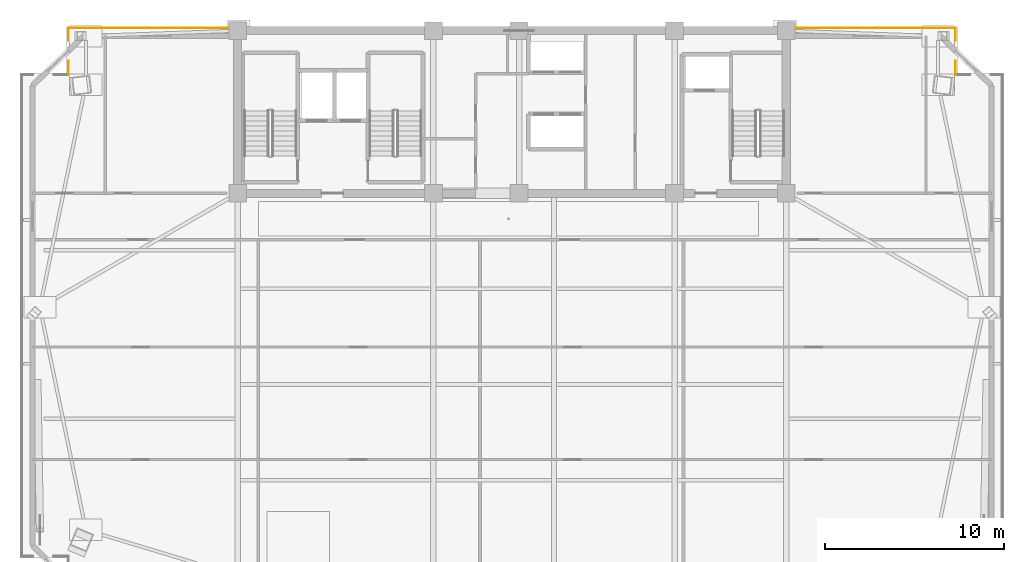
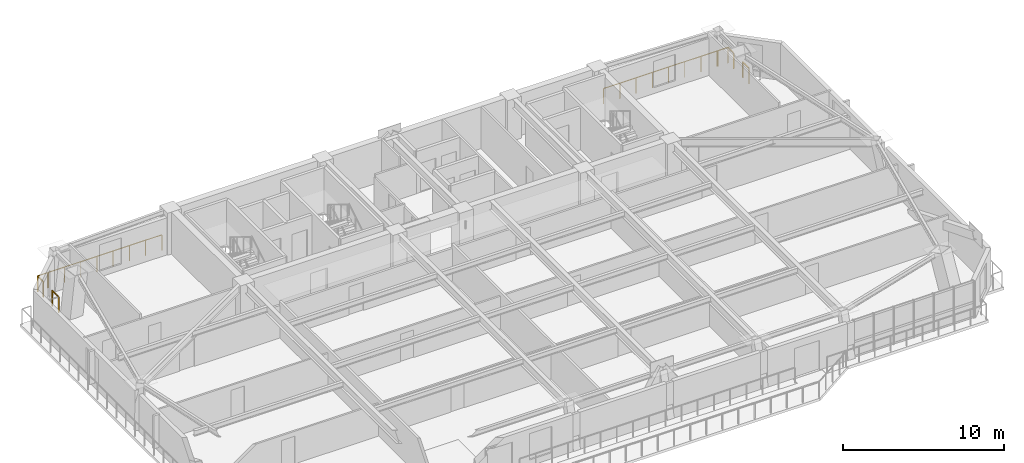
# One storey, part 16 of 16: 8 railings.
"""IFC4 building model written with IfcOpenShell, lengths in metres."""

import ifcopenshell
import ifcopenshell.guid

model = None  # the IFC model being written
_history = None  # IfcOwnerHistory: only IFC2X3 demands one
_inside = {}  # id of a spatial element -> (the spatial element, [elements in it])
_under = {}  # id of a project, library or spatial element -> (it, [spatial elements below it])
_declared = {}  # id of a project -> (the project, [libraries it declares])
_typed = {}  # id of a type object -> (the type object, [elements of that type])
_made_of = {}  # id of a material, layer set ... -> (it, [elements and type objects made of it])


def new_model(schema):
    """Start an empty IFC model of exactly this schema.

    Asked for "IFC4X3", IfcOpenShell would pick the latest addendum, in which some entities
    have other attributes; the version numbers below select the first issue.
    IFC2X3 requires an IfcOwnerHistory on every rooted entity: one is made here for all.
    """
    global model, _history
    if schema == "IFC4X3":
        model = ifcopenshell.file(schema_version=(4, 3, 0, 0))
    else:
        model = ifcopenshell.file(schema=schema)
    _inside.clear()
    _under.clear()
    _declared.clear()
    _typed.clear()
    _made_of.clear()
    _history = None
    if model.schema == "IFC2X3":
        org = make("IfcOrganization", Name="unknown")
        user = make(
            "IfcPersonAndOrganization",
            ThePerson=make("IfcPerson", FamilyName="unknown"),
            TheOrganization=org,
        )
        app = make(
            "IfcApplication",
            ApplicationDeveloper=org,
            Version="unknown",
            ApplicationFullName="unknown",
            ApplicationIdentifier="unknown",
        )
        _history = make(
            "IfcOwnerHistory",
            OwningUser=user,
            OwningApplication=app,
            ChangeAction="ADDED",
            CreationDate=0,
        )
    return model


def make(cls, **values):
    """One entity of the class cls with the attributes given. An attribute that is None is left unset."""
    return model.create_entity(
        cls, **{name: value for name, value in values.items() if value is not None}
    )


def rooted(cls, **values):
    """An entity with a GlobalId (a new one), such as an element, a storey or a relation."""
    return make(cls, GlobalId=ifcopenshell.guid.new(), OwnerHistory=_history, **values)


def si_unit(unit_type, name, prefix=None):
    """IfcSIUnit, for example si_unit("LENGTHUNIT", "METRE", prefix="MILLI")."""
    return make("IfcSIUnit", UnitType=unit_type, Prefix=prefix, Name=name)


def assignment(units):
    """IfcUnitAssignment: the units of a project."""
    return None if units is None else make("IfcUnitAssignment", Units=units)


def point(xyz):
    """IfcCartesianPoint."""
    return None if xyz is None else make("IfcCartesianPoint", Coordinates=xyz)


def direction(xyz):
    """IfcDirection."""
    return None if xyz is None else make("IfcDirection", DirectionRatios=xyz)


def frame(location, z_axis=None, x_axis=None):
    """IfcAxis2Placement3D, a coordinate frame: its origin and axes. An axis left out is left unset."""
    return make(
        "IfcAxis2Placement3D",
        Location=point(location),
        Axis=direction(z_axis),
        RefDirection=direction(x_axis),
    )


def frame_2d(location, x_axis=None):
    """IfcAxis2Placement2D, a coordinate frame in the plane: its origin and x axis."""
    return make(
        "IfcAxis2Placement2D", Location=point(location), RefDirection=direction(x_axis)
    )


def origin():
    """The frame at (0, 0, 0) with its axes left unset."""
    return frame((0.0, 0.0, 0.0))


def origin_2d():
    """The frame at (0, 0) in the plane with its x axis left unset."""
    return frame_2d((0.0, 0.0))


def place(relative_to, where):
    """IfcLocalPlacement: puts the frame where relative to a parent placement (None: the world)."""
    return make(
        "IfcLocalPlacement", PlacementRelTo=relative_to, RelativePlacement=where
    )


def context(
    kind, dimensions, precision=None, world=None, true_north=None, identifier=None
):
    """IfcGeometricRepresentationContext, for example the 3D "Model" context."""
    return make(
        "IfcGeometricRepresentationContext",
        ContextIdentifier=identifier,
        ContextType=kind,
        CoordinateSpaceDimension=dimensions,
        Precision=precision,
        WorldCoordinateSystem=world,
        TrueNorth=true_north,
    )


def subcontext(parent, identifier, kind, view, scale=None):
    """IfcGeometricRepresentationSubContext, for example "Body" below "Model"."""
    return make(
        "IfcGeometricRepresentationSubContext",
        ContextIdentifier=identifier,
        ContextType=kind,
        ParentContext=parent,
        TargetScale=scale,
        TargetView=view,
    )


def project(units=None, contexts=None):
    """IfcProject with its units and contexts."""
    return rooted(
        "IfcProject",
        Name="project",
        RepresentationContexts=contexts,
        UnitsInContext=assignment(units),
    )


def spatial(cls, under=None, at=None, **own):
    """A site, building, storey or space (cls), placed at a placement, below another one or the project."""
    s = rooted(cls, ObjectPlacement=at, **own)
    if under is not None:
        _under.setdefault(under.id(), (under, []))[1].append(s)
    return s


def profile(cls, at=None, kind="AREA", **sizes):
    """A parametric profile (cls). Its sizes go by their IFC names, for example OverallWidth=200.0."""
    return make(cls, ProfileType=kind, Position=at, **sizes)


def rectangle(**sizes):
    """IfcRectangleProfileDef."""
    return profile("IfcRectangleProfileDef", **sizes)


def extrude(swept, where, along, depth):
    """IfcExtrudedAreaSolid: the profile swept, set in the frame where, extruded along a direction by depth."""
    return make(
        "IfcExtrudedAreaSolid",
        SweptArea=swept,
        Position=where,
        ExtrudedDirection=direction(along),
        Depth=depth,
    )


def shape(context_of_items, identifier, shape_type, items):
    """IfcShapeRepresentation: the items that make up one representation, for example the "Body"."""
    return make(
        "IfcShapeRepresentation",
        ContextOfItems=context_of_items,
        RepresentationIdentifier=identifier,
        RepresentationType=shape_type,
        Items=items,
    )


def material(Name=None, Category=None):
    """IfcMaterial."""
    return make("IfcMaterial", Name=Name, Category=Category)


def made_of(thing, what):
    """Note that an element or type object is made of a material, layer set ...; save() writes the relation."""
    if what is not None:
        _made_of.setdefault(what.id(), (what, []))[1].append(thing)
    return thing


def type_object(cls, material=None, **own):
    """A type object (cls), such as IfcWallType, which elements share."""
    return made_of(rooted(cls, **own), material)


def element(
    cls,
    number,
    at=None,
    inside=None,
    cuts=None,
    type_object=None,
    material=None,
    context=None,
    identifier="Body",
    shape_type=None,
    held_by="IfcProductDefinitionShape",
    body=None,
    shapes=None,
    **own,
):
    """One element of the class cls, such as IfcWall. Its Tag is "e" and its number.

    at: its placement. inside: the storey or other place that contains it. cuts: it is an
    opening in that element (IfcRelVoidsElement). A single representation is given by context,
    identifier, shape_type and body (its items); several are given by shapes. held_by: the class
    of the entity that holds the representations. save() writes the other relations.
    """
    e = rooted(cls, Tag="e%d" % number, ObjectPlacement=at, **own)
    if body is not None:
        shapes = [shape(context, identifier, shape_type, body)]
    if shapes is not None:
        e.Representation = make(held_by, Representations=shapes)
    if inside is not None:
        _inside.setdefault(inside.id(), (inside, []))[1].append(e)
    if cuts is not None:
        rooted(
            "IfcRelVoidsElement", RelatingBuildingElement=cuts, RelatedOpeningElement=e
        )
    if type_object is not None:
        _typed.setdefault(type_object.id(), (type_object, []))[1].append(e)
    return made_of(e, material)


def aggregate(whole, parts):
    """IfcRelAggregates: a whole, such as a stair, and the parts it consists of."""
    return rooted("IfcRelAggregates", RelatingObject=whole, RelatedObjects=parts)


def save(model, path):
    """Write the relations noted so far, then the file.

    IfcRelAggregates (storeys below a building ...), IfcRelContainedInSpatialStructure (elements
    in a storey), IfcRelDefinesByType, IfcRelAssociatesMaterial and IfcRelDeclares: one each for
    every whole, place, type object, material and project.
    """
    for whole, parts in _under.values():
        aggregate(whole, parts)
    for where, things in _inside.values():
        rooted(
            "IfcRelContainedInSpatialStructure",
            RelatedElements=things,
            RelatingStructure=where,
        )
    for kind, things in _typed.values():
        rooted("IfcRelDefinesByType", RelatedObjects=things, RelatingType=kind)
    for what, things in _made_of.values():
        rooted("IfcRelAssociatesMaterial", RelatedObjects=things, RelatingMaterial=what)
    for by, libraries in _declared.values():
        rooted("IfcRelDeclares", RelatingContext=by, RelatedDefinitions=libraries)
    model.write(path)


model = new_model("IFC4")

# Units and contexts
model_context = context("Model", 3, precision=1e-05, world=origin(), true_north=direction((0.0, 1.0)))
body_context = subcontext(model_context, "Body", "Model", "MODEL_VIEW")
ifc_project = project(units=[si_unit("LENGTHUNIT", "METRE"), si_unit("AREAUNIT", "SQUARE_METRE"), si_unit("VOLUMEUNIT", "CUBIC_METRE"), si_unit("PLANEANGLEUNIT", "RADIAN"), si_unit("MASSUNIT", "GRAM", prefix="KILO")], contexts=[model_context])

# Site, building, storey
site_placement = place(None, origin())
site = spatial("IfcSite", under=ifc_project, at=site_placement, CompositionType="ELEMENT")
building_placement = place(site_placement, origin())
building = spatial("IfcBuilding", under=site, at=building_placement, Name="Giltprow Tower", CompositionType="ELEMENT")
storey_placement = place(building_placement, frame((0.0, 0.0, 255.300048828125)))
storey = spatial("IfcBuildingStorey", under=building, at=storey_placement, Name="L65", CompositionType="ELEMENT", Elevation=255.300048828125)

# Railings
ifc_material = material(Name="Anodized bronze", Category="metal")
railing_type = type_object("IfcRailingType", Name="RAIL-BALC-GUARD-1200", PredefinedType="BALUSTRADE", material=ifc_material)
railing_1_placement = place(storey_placement, frame((10.37890625, 44.083984375, 0.0)))
element("IfcRailing", 1, at=railing_1_placement, inside=storey, type_object=railing_type, Name="L65 Corner Apron Edge Balustrade 16", PredefinedType="BALUSTRADE", context=body_context, shape_type="SweptSolid", body=[
    extrude(rectangle(XDim=0.048095703125, YDim=0.048095703125, at=origin_2d()), frame((0.0, 0.0, 1.17578125), z_axis=(0.0, 1.0, 0.0), x_axis=(-1.0, 0.0, 0.0)), (0.0, 0.0, 1.0), 0.776123046875),
    extrude(rectangle(XDim=0.0419921875, YDim=0.0419921875, at=origin_2d()), origin(), (0.0, 0.0, 1.0), 1.15185546875),
    extrude(rectangle(XDim=0.0419921875, YDim=0.0419921875, at=origin_2d()), frame((0.0, 0.776123046875, 0.0)), (0.0, 0.0, 1.0), 1.15185546875),
])
railing_2_placement = place(storey_placement, frame((10.37890625, 45.9990234375, 0.0)))
element("IfcRailing", 2, at=railing_2_placement, inside=storey, type_object=railing_type, Name="L65 Corner Apron Edge Balustrade 17", PredefinedType="BALUSTRADE", context=body_context, shape_type="SweptSolid", body=[
    extrude(rectangle(XDim=0.048095703125, YDim=0.048095703125, at=origin_2d()), frame((0.0, 0.0, 1.17578125), z_axis=(0.0, 1.0, 0.0), x_axis=(-1.0, 0.0, 0.0)), (0.0, 0.0, 1.0), 0.700927734375),
    extrude(rectangle(XDim=0.0419921875, YDim=0.0419921875, at=origin_2d()), origin(), (0.0, 0.0, 1.0), 1.15185546875),
    extrude(rectangle(XDim=0.0419921875, YDim=0.0419921875, at=origin_2d()), frame((0.0, 0.700927734375, 0.0)), (0.0, 0.0, 1.0), 1.15185546875),
])
railing_3_placement = place(storey_placement, frame((10.37890625, 46.699951171875, 0.0)))
element("IfcRailing", 3, at=railing_3_placement, inside=storey, type_object=railing_type, Name="L65 Corner Apron Edge Balustrade 18", PredefinedType="BALUSTRADE", context=body_context, shape_type="SweptSolid", body=[
    extrude(rectangle(XDim=0.048095703125, YDim=0.048095703125, at=origin_2d()), frame((0.0, 0.0, 1.17578125), z_axis=(1.0, 0.0, 0.0), x_axis=(0.0, 1.0, 0.0)), (0.0, 0.0, 1.0), 0.72607421875),
    extrude(rectangle(XDim=0.0419921875, YDim=0.0419921875, at=origin_2d()), origin(), (0.0, 0.0, 1.0), 1.15185546875),
    extrude(rectangle(XDim=0.0419921875, YDim=0.0419921875, at=origin_2d()), frame((0.72607421875, 0.0, 0.0)), (0.0, 0.0, 1.0), 1.15185546875),
])
railing_4_placement = place(storey_placement, frame((11.156005859375, 46.699951171875, 0.0)))
element("IfcRailing", 4, at=railing_4_placement, inside=storey, type_object=railing_type, Name="L65 Corner Apron Edge Balustrade 19", PredefinedType="BALUSTRADE", context=body_context, shape_type="SweptSolid", body=[
    extrude(rectangle(XDim=0.048095703125, YDim=0.048095703125, at=origin_2d()), frame((0.0, 0.0, 1.17578125), z_axis=(1.0, 0.0, 0.0), x_axis=(0.0, 1.0, 0.0)), (0.0, 0.0, 1.0), 8.158935546875),
    extrude(rectangle(XDim=0.0419921875, YDim=0.0419921875, at=origin_2d()), origin(), (0.0, 0.0, 1.0), 1.15185546875),
    extrude(rectangle(XDim=0.0419921875, YDim=0.0419921875, at=origin_2d()), frame((1.16552734375, 0.0, 0.0)), (0.0, 0.0, 1.0), 1.15185546875),
    extrude(rectangle(XDim=0.0419921875, YDim=0.0419921875, at=origin_2d()), frame((2.3310546875, 0.0, 0.0)), (0.0, 0.0, 1.0), 1.15185546875),
    extrude(rectangle(XDim=0.0419921875, YDim=0.0419921875, at=origin_2d()), frame((3.49658203125, 0.0, 0.0)), (0.0, 0.0, 1.0), 1.15185546875),
    extrude(rectangle(XDim=0.0419921875, YDim=0.0419921875, at=origin_2d()), frame((4.662353515625, 0.0, 0.0)), (0.0, 0.0, 1.0), 1.15185546875),
    extrude(rectangle(XDim=0.0419921875, YDim=0.0419921875, at=origin_2d()), frame((5.827880859375, 0.0, 0.0)), (0.0, 0.0, 1.0), 1.15185546875),
    extrude(rectangle(XDim=0.0419921875, YDim=0.0419921875, at=origin_2d()), frame((6.993408203125, 0.0, 0.0)), (0.0, 0.0, 1.0), 1.15185546875),
    extrude(rectangle(XDim=0.0419921875, YDim=0.0419921875, at=origin_2d()), frame((8.158935546875, 0.0, 0.0)), (0.0, 0.0, 1.0), 1.15185546875),
])
railing_5_placement = place(storey_placement, frame((51.0849609375, 46.699951171875, 0.0)))
element("IfcRailing", 5, at=railing_5_placement, inside=storey, type_object=railing_type, Name="L65 Corner Apron Edge Balustrade 20", PredefinedType="BALUSTRADE", context=body_context, shape_type="SweptSolid", body=[
    extrude(rectangle(XDim=0.048095703125, YDim=0.048095703125, at=origin_2d()), frame((0.0, 0.0, 1.17578125), z_axis=(1.0, 0.0, 0.0), x_axis=(0.0, 1.0, 0.0)), (0.0, 0.0, 1.0), 8.16015625),
    extrude(rectangle(XDim=0.0419921875, YDim=0.0419921875, at=origin_2d()), origin(), (0.0, 0.0, 1.0), 1.15185546875),
    extrude(rectangle(XDim=0.0419921875, YDim=0.0419921875, at=origin_2d()), frame((1.165771484375, 0.0, 0.0)), (0.0, 0.0, 1.0), 1.15185546875),
    extrude(rectangle(XDim=0.0419921875, YDim=0.0419921875, at=origin_2d()), frame((2.33154296875, 0.0, 0.0)), (0.0, 0.0, 1.0), 1.15185546875),
    extrude(rectangle(XDim=0.0419921875, YDim=0.0419921875, at=origin_2d()), frame((3.497314453125, 0.0, 0.0)), (0.0, 0.0, 1.0), 1.15185546875),
    extrude(rectangle(XDim=0.0419921875, YDim=0.0419921875, at=origin_2d()), frame((4.662841796875, 0.0, 0.0)), (0.0, 0.0, 1.0), 1.15185546875),
    extrude(rectangle(XDim=0.0419921875, YDim=0.0419921875, at=origin_2d()), frame((5.82861328125, 0.0, 0.0)), (0.0, 0.0, 1.0), 1.15185546875),
    extrude(rectangle(XDim=0.0419921875, YDim=0.0419921875, at=origin_2d()), frame((6.994384765625, 0.0, 0.0)), (0.0, 0.0, 1.0), 1.15185546875),
    extrude(rectangle(XDim=0.0419921875, YDim=0.0419921875, at=origin_2d()), frame((8.16015625, 0.0, 0.0)), (0.0, 0.0, 1.0), 1.15185546875),
])
railing_6_placement = place(storey_placement, frame((59.2958984375, 46.699951171875, 0.0)))
element("IfcRailing", 6, at=railing_6_placement, inside=storey, type_object=railing_type, Name="L65 Corner Apron Edge Balustrade 21", PredefinedType="BALUSTRADE", context=body_context, shape_type="SweptSolid", body=[
    extrude(rectangle(XDim=0.048095703125, YDim=0.048095703125, at=origin_2d()), frame((0.0, 0.0, 1.17578125), z_axis=(1.0, 0.0, 0.0), x_axis=(0.0, 1.0, 0.0)), (0.0, 0.0, 1.0), 0.72607421875),
    extrude(rectangle(XDim=0.0419921875, YDim=0.0419921875, at=origin_2d()), origin(), (0.0, 0.0, 1.0), 1.15185546875),
    extrude(rectangle(XDim=0.0419921875, YDim=0.0419921875, at=origin_2d()), frame((0.72607421875, 0.0, 0.0)), (0.0, 0.0, 1.0), 1.15185546875),
])
railing_7_placement = place(storey_placement, frame((60.02197265625, 46.699951171875, 0.0)))
element("IfcRailing", 7, at=railing_7_placement, inside=storey, type_object=railing_type, Name="L65 Corner Apron Edge Balustrade 22", PredefinedType="BALUSTRADE", context=body_context, shape_type="SweptSolid", body=[
    extrude(rectangle(XDim=0.048095703125, YDim=0.048095703125, at=origin_2d()), frame((0.0, 0.0, 1.17578125), z_axis=(0.0, -1.0, 0.0), x_axis=(1.0, 0.0, 0.0)), (0.0, 0.0, 1.0), 0.700927734375),
    extrude(rectangle(XDim=0.0419921875, YDim=0.0419921875, at=origin_2d()), origin(), (0.0, 0.0, 1.0), 1.15185546875),
    extrude(rectangle(XDim=0.0419921875, YDim=0.0419921875, at=origin_2d()), frame((0.0, -0.700927734375, 0.0)), (0.0, 0.0, 1.0), 1.15185546875),
])
railing_8_placement = place(storey_placement, frame((60.02197265625, 44.860107421875, 0.0)))
element("IfcRailing", 8, at=railing_8_placement, inside=storey, type_object=railing_type, Name="L65 Corner Apron Edge Balustrade 23", PredefinedType="BALUSTRADE", context=body_context, shape_type="SweptSolid", body=[
    extrude(rectangle(XDim=0.048095703125, YDim=0.048095703125, at=origin_2d()), frame((0.0, 0.0, 1.17578125), z_axis=(0.0, -1.0, 0.0), x_axis=(1.0, 0.0, 0.0)), (0.0, 0.0, 1.0), 0.776123046875),
    extrude(rectangle(XDim=0.0419921875, YDim=0.0419921875, at=origin_2d()), origin(), (0.0, 0.0, 1.0), 1.15185546875),
    extrude(rectangle(XDim=0.0419921875, YDim=0.0419921875, at=origin_2d()), frame((0.0, -0.776123046875, 0.0)), (0.0, 0.0, 1.0), 1.15185546875),
])

save(model, "model.ifc")
